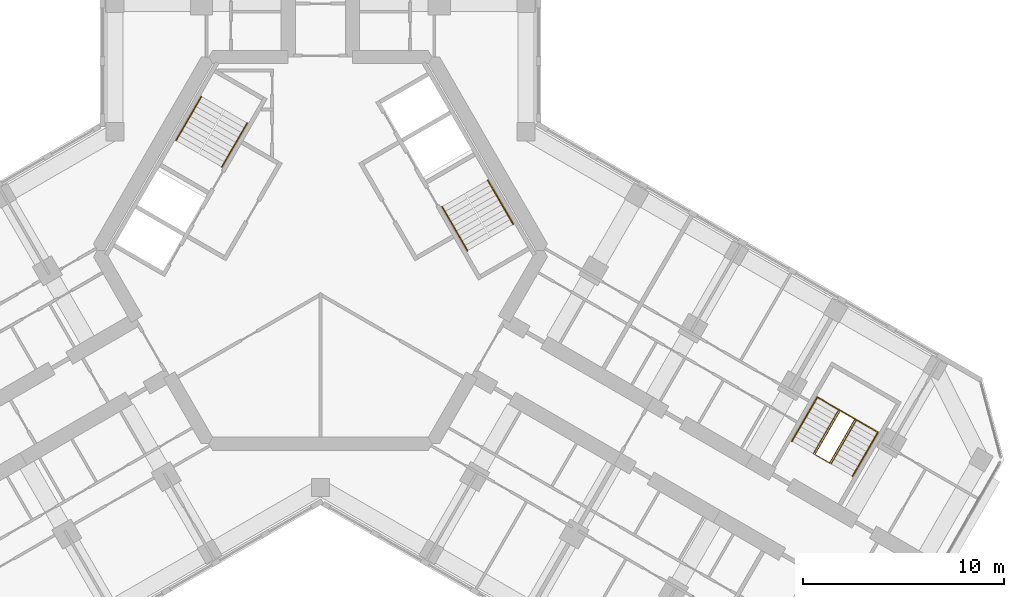
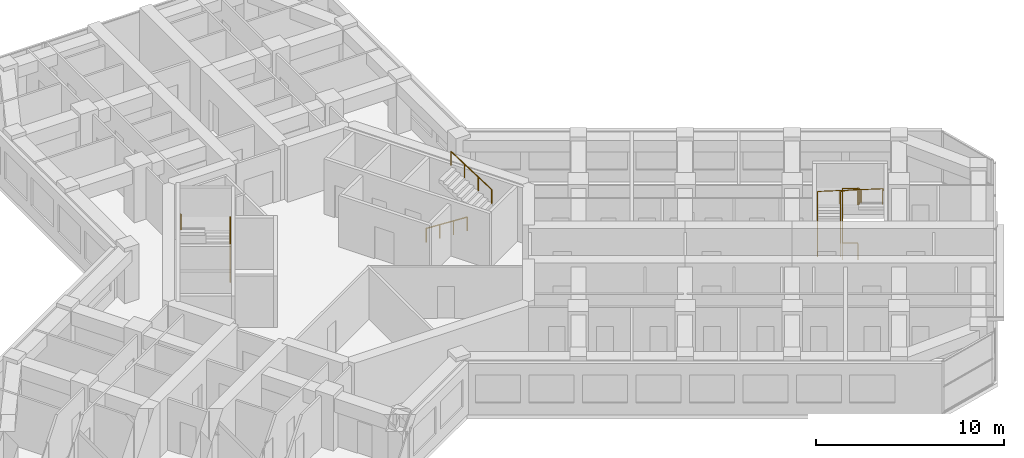
# One storey, part 16 of 16: 7 railings.
"""IFC4 building model written with IfcOpenShell, lengths in metres."""

from ifc_helpers import new_model, si_unit, direction, frame, origin, origin_2d, place, context, subcontext, project, spatial, circle, extrude, material, type_object, element, save


model = new_model("IFC4")

# Units and contexts
model_context = context("Model", 3, precision=1e-05, world=origin(), true_north=direction((0.0, 1.0)))
body_context = subcontext(model_context, "Body", "Model", "MODEL_VIEW")
ifc_project = project(units=[si_unit("LENGTHUNIT", "METRE"), si_unit("AREAUNIT", "SQUARE_METRE"), si_unit("VOLUMEUNIT", "CUBIC_METRE"), si_unit("PLANEANGLEUNIT", "RADIAN"), si_unit("MASSUNIT", "GRAM", prefix="KILO")], contexts=[model_context])

# Site, building, storey
site_placement = place(None, origin())
site = spatial("IfcSite", under=ifc_project, at=site_placement, CompositionType="ELEMENT")
building_placement = place(site_placement, origin())
building = spatial("IfcBuilding", under=site, at=building_placement, Name="Kosmar Iwan School Tower", CompositionType="ELEMENT")
storey_placement = place(building_placement, frame((0.0, 0.0, 197.39990234375)))
storey = spatial("IfcBuildingStorey", under=building, at=storey_placement, Name="L49", CompositionType="ELEMENT", Elevation=197.39990234375)

# Railings
ifc_material_1 = material(Name="Black steel", Category="steel")
railing_type_1 = type_object("IfcRailingType", Name="Stair handrail 900", PredefinedType="HANDRAIL", material=ifc_material_1)
railing_1_placement = place(storey_placement, frame((-4.89453125, 4.142333984375, 0.18017578125)))
element("IfcRailing", 1, at=railing_1_placement, inside=storey, type_object=railing_type_1, Name="Handrail ST2 flight 1", PredefinedType="HANDRAIL", context=body_context, shape_type="SweptSolid", body=[
    extrude(circle(Radius=0.02392578125, at=origin_2d()), frame((0.0, 0.0, 0.8759765625), z_axis=(0.42060268101, 0.72849590497, 0.54072830624), x_axis=(-0.866022637375, 0.500004791531, 0.0)), (0.0, 0.0, 1.0), 2.99560546875),
    extrude(circle(Radius=0.02099609375, at=origin_2d()), origin(), (0.0, 0.0, 1.0), 0.851806640625),
    extrude(circle(Radius=0.02099609375, at=origin_2d()), frame((0.419921875, 0.7275390625, 0.5400390625)), (0.0, 0.0, 1.0), 0.851806640625),
    extrude(circle(Radius=0.02099609375, at=origin_2d()), frame((0.840087890625, 1.454833984375, 1.079833984375)), (0.0, 0.0, 1.0), 0.851806640625),
    extrude(circle(Radius=0.02099609375, at=origin_2d()), frame((1.260009765625, 2.182373046875, 1.619873046875)), (0.0, 0.0, 1.0), 0.851806640625),
])
railing_2_placement = place(storey_placement, frame((-5.912353515625, 7.6396484375, 1.97998046875)))
element("IfcRailing", 2, at=railing_2_placement, inside=storey, type_object=railing_type_1, Name="Handrail ST2 flight 2", PredefinedType="HANDRAIL", context=body_context, shape_type="SweptSolid", body=[
    extrude(circle(Radius=0.02392578125, at=origin_2d()), frame((0.0, 0.0, 0.8759765625), z_axis=(-0.420584145978, -0.728463801763, 0.540785970299), x_axis=(0.866022637375, -0.500004791531, 0.0)), (0.0, 0.0, 1.0), 2.995849609375),
    extrude(circle(Radius=0.02099609375, at=origin_2d()), origin(), (0.0, 0.0, 1.0), 0.851806640625),
    extrude(circle(Radius=0.02099609375, at=origin_2d()), frame((-0.419921875, -0.7275390625, 0.5400390625)), (0.0, 0.0, 1.0), 0.851806640625),
    extrude(circle(Radius=0.02099609375, at=origin_2d()), frame((-0.840087890625, -1.454833984375, 1.080078125)), (0.0, 0.0, 1.0), 0.851806640625),
    extrude(circle(Radius=0.02099609375, at=origin_2d()), frame((-1.260009765625, -2.182373046875, 1.6201171875)), (0.0, 0.0, 1.0), 0.851806640625),
])
railing_3_placement = place(storey_placement, frame((6.03466796875, 2.167724609375, 0.18017578125)))
element("IfcRailing", 3, at=railing_3_placement, inside=storey, type_object=railing_type_1, Name="Handrail ST1 flight 1", PredefinedType="HANDRAIL", context=body_context, shape_type="SweptSolid", body=[
    extrude(circle(Radius=0.02392578125, at=origin_2d()), frame((0.0, 0.0, 0.8759765625), z_axis=(0.42060268101, -0.72849590497, 0.54072830624), x_axis=(0.866022637375, 0.500004791531, 0.0)), (0.0, 0.0, 1.0), 2.99560546875),
    extrude(circle(Radius=0.02099609375, at=origin_2d()), origin(), (0.0, 0.0, 1.0), 0.851806640625),
    extrude(circle(Radius=0.02099609375, at=origin_2d()), frame((0.419921875, -0.7275390625, 0.5400390625)), (0.0, 0.0, 1.0), 0.851806640625),
    extrude(circle(Radius=0.02099609375, at=origin_2d()), frame((0.840087890625, -1.454833984375, 1.079833984375)), (0.0, 0.0, 1.0), 0.851806640625),
    extrude(circle(Radius=0.02099609375, at=origin_2d()), frame((1.260009765625, -2.182373046875, 1.619873046875)), (0.0, 0.0, 1.0), 0.851806640625),
])
railing_4_placement = place(storey_placement, frame((9.572265625, 1.30029296875, 1.97998046875)))
element("IfcRailing", 4, at=railing_4_placement, inside=storey, type_object=railing_type_1, Name="Handrail ST1 flight 2", PredefinedType="HANDRAIL", context=body_context, shape_type="SweptSolid", body=[
    extrude(circle(Radius=0.02392578125, at=origin_2d()), frame((0.0, 0.0, 0.8759765625), z_axis=(-0.420584145978, 0.728463801763, 0.540785970299), x_axis=(-0.866022637375, -0.500004791531, 0.0)), (0.0, 0.0, 1.0), 2.995849609375),
    extrude(circle(Radius=0.02099609375, at=origin_2d()), origin(), (0.0, 0.0, 1.0), 0.851806640625),
    extrude(circle(Radius=0.02099609375, at=origin_2d()), frame((-0.419921875, 0.7275390625, 0.5400390625)), (0.0, 0.0, 1.0), 0.851806640625),
    extrude(circle(Radius=0.02099609375, at=origin_2d()), frame((-0.840087890625, 1.454833984375, 1.080078125)), (0.0, 0.0, 1.0), 0.851806640625),
    extrude(circle(Radius=0.02099609375, at=origin_2d()), frame((-1.260009765625, 2.182373046875, 1.6201171875)), (0.0, 0.0, 1.0), 0.851806640625),
])
railing_5_placement = place(storey_placement, frame((23.4091796875, -9.473876953125, 0.18017578125)))
element("IfcRailing", 5, at=railing_5_placement, inside=storey, type_object=railing_type_1, Name="Handrail stair WS3 L49 wall side", PredefinedType="HANDRAIL", context=body_context, shape_type="SweptSolid", body=[
    extrude(circle(Radius=0.02392578125, at=origin_2d()), frame((0.0, 0.0, 0.8759765625), z_axis=(0.42060268101, 0.72849590497, 0.54072830624), x_axis=(-0.866022637375, 0.500004791531, 0.0)), (0.0, 0.0, 1.0), 2.99560546875),
    extrude(circle(Radius=0.02392578125, at=origin_2d()), frame((1.260009765625, 2.182373046875, 2.49560546875), z_axis=(0.864882007433, -0.499312601618, 0.051633701051), x_axis=(0.499979528911, 0.866037222451, 0.0)), (0.0, 0.0, 1.0), 3.48486328125),
    extrude(circle(Radius=0.02392578125, at=origin_2d()), frame((4.27392578125, 0.4423828125, 2.67578125), z_axis=(-0.420584145978, -0.728463801763, 0.540785970299), x_axis=(0.866022637375, -0.500004791531, 0.0)), (0.0, 0.0, 1.0), 2.995849609375),
    extrude(circle(Radius=0.02099609375, at=origin_2d()), origin(), (0.0, 0.0, 1.0), 0.851806640625),
    extrude(circle(Radius=0.02099609375, at=origin_2d()), frame((0.419921875, 0.7275390625, 0.5400390625)), (0.0, 0.0, 1.0), 0.851806640625),
    extrude(circle(Radius=0.02099609375, at=origin_2d()), frame((0.840087890625, 1.454833984375, 1.079833984375)), (0.0, 0.0, 1.0), 0.851806640625),
    extrude(circle(Radius=0.02099609375, at=origin_2d()), frame((1.260009765625, 2.182373046875, 1.619873046875)), (0.0, 0.0, 1.0), 0.851806640625),
    extrude(circle(Radius=0.02099609375, at=origin_2d()), frame((2.2646484375, 1.602294921875, 1.679931640625)), (0.0, 0.0, 1.0), 0.851806640625),
    extrude(circle(Radius=0.02099609375, at=origin_2d()), frame((3.269287109375, 1.0224609375, 1.73974609375)), (0.0, 0.0, 1.0), 0.851806640625),
    extrude(circle(Radius=0.02099609375, at=origin_2d()), frame((4.27392578125, 0.4423828125, 1.7998046875)), (0.0, 0.0, 1.0), 0.851806640625),
    extrude(circle(Radius=0.02099609375, at=origin_2d()), frame((3.85400390625, -0.28515625, 2.33984375)), (0.0, 0.0, 1.0), 0.851806640625),
    extrude(circle(Radius=0.02099609375, at=origin_2d()), frame((3.433837890625, -1.012451171875, 2.8798828125)), (0.0, 0.0, 1.0), 0.851806640625),
    extrude(circle(Radius=0.02099609375, at=origin_2d()), frame((3.013916015625, -1.739990234375, 3.419921875)), (0.0, 0.0, 1.0), 0.851806640625),
])
railing_6_placement = place(storey_placement, frame((24.474609375, -10.0888671875, 0.18017578125)))
element("IfcRailing", 6, at=railing_6_placement, inside=storey, type_object=railing_type_1, Name="Handrail stair WS3 L49 well side", PredefinedType="HANDRAIL", context=body_context, shape_type="SweptSolid", body=[
    extrude(circle(Radius=0.02392578125, at=origin_2d()), frame((0.0, 0.0, 0.8759765625), z_axis=(0.42060268101, 0.72849590497, 0.54072830624), x_axis=(-0.866022637375, 0.500004791531, 0.0)), (0.0, 0.0, 1.0), 2.99560546875),
    extrude(circle(Radius=0.02392578125, at=origin_2d()), frame((1.260009765625, 2.182373046875, 2.49560546875), z_axis=(0.852841519511, -0.492422867401, 0.173726976197), x_axis=(0.500026340207, 0.866010195725, 0.0)), (0.0, 0.0, 1.0), 1.03564453125),
    extrude(circle(Radius=0.02392578125, at=origin_2d()), frame((2.143310546875, 1.67236328125, 2.67578125), z_axis=(-0.420584145978, -0.728463801763, 0.540785970299), x_axis=(0.866022637375, -0.500004791531, 0.0)), (0.0, 0.0, 1.0), 2.995849609375),
    extrude(circle(Radius=0.02099609375, at=origin_2d()), origin(), (0.0, 0.0, 1.0), 0.851806640625),
    extrude(circle(Radius=0.02099609375, at=origin_2d()), frame((0.419921875, 0.7275390625, 0.5400390625)), (0.0, 0.0, 1.0), 0.851806640625),
    extrude(circle(Radius=0.02099609375, at=origin_2d()), frame((0.840087890625, 1.454833984375, 1.079833984375)), (0.0, 0.0, 1.0), 0.851806640625),
    extrude(circle(Radius=0.02099609375, at=origin_2d()), frame((1.260009765625, 2.182373046875, 1.619873046875)), (0.0, 0.0, 1.0), 0.851806640625),
    extrude(circle(Radius=0.02099609375, at=origin_2d()), frame((2.143310546875, 1.67236328125, 1.7998046875)), (0.0, 0.0, 1.0), 0.851806640625),
    extrude(circle(Radius=0.02099609375, at=origin_2d()), frame((1.723388671875, 0.94482421875, 2.33984375)), (0.0, 0.0, 1.0), 0.851806640625),
    extrude(circle(Radius=0.02099609375, at=origin_2d()), frame((1.30322265625, 0.217529296875, 2.8798828125)), (0.0, 0.0, 1.0), 0.851806640625),
    extrude(circle(Radius=0.02099609375, at=origin_2d()), frame((0.88330078125, -0.510009765625, 3.419921875)), (0.0, 0.0, 1.0), 0.851806640625),
])
ifc_material_2 = material(Name="Black steel", Category="steel")
railing_type_2 = type_object("IfcRailingType", Name="Stair well guard 1100", PredefinedType="GUARDRAIL", material=ifc_material_2)
railing_7_placement = place(storey_placement, frame((25.280029296875, -10.553955078125, 0.0)))
element("IfcRailing", 7, at=railing_7_placement, inside=storey, type_object=railing_type_2, Name="Stair WS3 L49 well guard", PredefinedType="GUARDRAIL", context=body_context, shape_type="SweptSolid", body=[
    extrude(circle(Radius=0.02392578125, at=origin_2d()), frame((0.0, 0.0, 1.076171875), z_axis=(-0.865962960534, 0.500108139288, 0.0), x_axis=(-0.500108139288, -0.865962960534, 0.0)), (0.0, 0.0, 1.0), 0.840087890625),
    extrude(circle(Radius=0.02392578125, at=origin_2d()), frame((-0.7275390625, 0.420166015625, 1.076171875), z_axis=(0.40686665399, 0.704704712268, 0.58124933925), x_axis=(-0.866022637375, 0.500004791531, 0.0)), (0.0, 0.0, 1.0), 3.096923828125),
    extrude(circle(Radius=0.02392578125, at=origin_2d()), frame((0.532470703125, 2.6025390625, 2.8759765625), z_axis=(0.865890253765, -0.500234013672, 0.0), x_axis=(0.500234013672, 0.865890253765, 0.0)), (0.0, 0.0, 1.0), 0.83984375),
    extrude(circle(Radius=0.02392578125, at=origin_2d()), frame((1.259765625, 2.182373046875, 2.8759765625), z_axis=(-0.406800866334, -0.70472731476, 0.58126798207), x_axis=(0.866064587494, -0.499932125682, 0.0)), (0.0, 0.0, 1.0), 3.0966796875),
    extrude(circle(Radius=0.02099609375, at=origin_2d()), origin(), (0.0, 0.0, 1.0), 1.052001953125),
    extrude(circle(Radius=0.02099609375, at=origin_2d()), frame((-0.7275390625, 0.420166015625, 0.0)), (0.0, 0.0, 1.0), 1.052001953125),
    extrude(circle(Radius=0.02099609375, at=origin_2d()), frame((-0.3076171875, 1.147705078125, 0.60009765625)), (0.0, 0.0, 1.0), 1.052001953125),
    extrude(circle(Radius=0.02099609375, at=origin_2d()), frame((0.112548828125, 1.875, 1.199951171875)), (0.0, 0.0, 1.0), 1.052001953125),
    extrude(circle(Radius=0.02099609375, at=origin_2d()), frame((0.532470703125, 2.6025390625, 1.800048828125)), (0.0, 0.0, 1.0), 1.052001953125),
    extrude(circle(Radius=0.02099609375, at=origin_2d()), frame((1.259765625, 2.182373046875, 1.800048828125)), (0.0, 0.0, 1.0), 1.052001953125),
    extrude(circle(Radius=0.02099609375, at=origin_2d()), frame((0.83984375, 1.454833984375, 2.400146484375)), (0.0, 0.0, 1.0), 1.052001953125),
    extrude(circle(Radius=0.02099609375, at=origin_2d()), frame((0.419921875, 0.7275390625, 3.0)), (0.0, 0.0, 1.0), 1.052001953125),
    extrude(circle(Radius=0.02099609375, at=origin_2d()), frame((0.0, 0.0, 3.60009765625)), (0.0, 0.0, 1.0), 1.052001953125),
])

save(model, "model.ifc")
